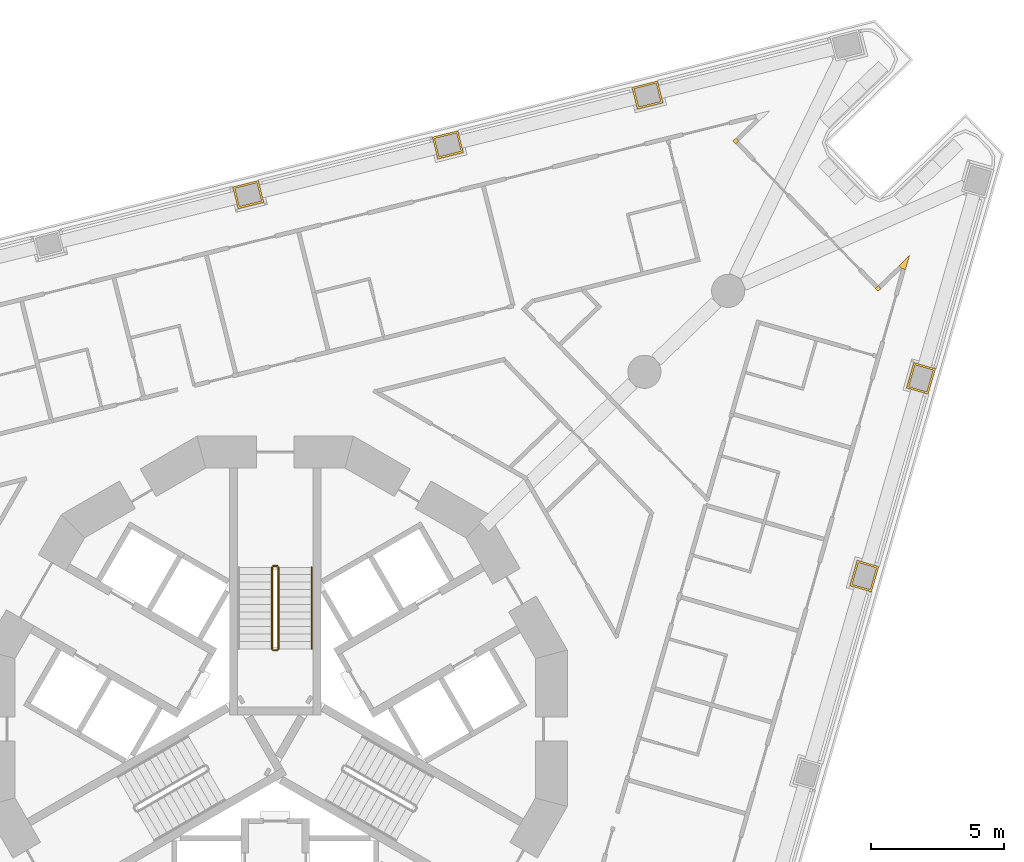
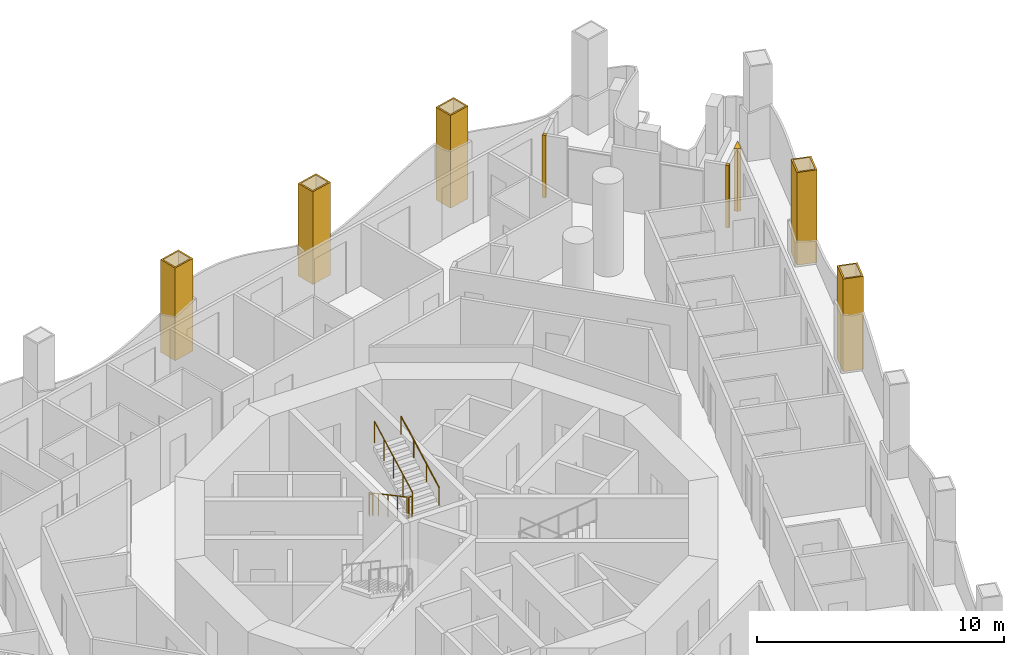
# One storey, part 18 of 20: 8 coverings, 5 railings.
"""IFC4 building model written with IfcOpenShell, lengths in metres."""

from ifc_helpers import new_model, si_unit, direction, frame, origin, origin_2d, place, context, subcontext, project, spatial, polyline, circle, outline, extrude, material, layer, layer_set, type_object, element, save


model = new_model("IFC4")

# Units and contexts
model_context = context("Model", 3, precision=1e-05, world=origin(), true_north=direction((0.0, 1.0)))
body_context = subcontext(model_context, "Body", "Model", "MODEL_VIEW")
ifc_project = project(units=[si_unit("LENGTHUNIT", "METRE"), si_unit("AREAUNIT", "SQUARE_METRE"), si_unit("VOLUMEUNIT", "CUBIC_METRE"), si_unit("PLANEANGLEUNIT", "RADIAN"), si_unit("MASSUNIT", "GRAM", prefix="KILO")], contexts=[model_context])

# Site, building, storey
site_placement = place(None, origin())
site = spatial("IfcSite", under=ifc_project, at=site_placement, CompositionType="ELEMENT")
building_placement = place(site_placement, origin())
building = spatial("IfcBuilding", under=site, at=building_placement, Name="Trine Commons Tower", CompositionType="ELEMENT")
storey_placement = place(building_placement, frame((0.0, 0.0, 116.10009765625)))
storey = spatial("IfcBuildingStorey", under=building, at=storey_placement, Name="L29", CompositionType="ELEMENT", Elevation=116.10009765625)

# Coverings
ifc_material_1 = material(Name="Aluminium-framed insulated wall panel", Category="aluminium")
ifc_layer_1 = layer(ifc_material_1, 0.14990234375)
ifc_layer_set_1 = layer_set([ifc_layer_1], Name="Aluminium-framed insulated wall panel")
covering_type_1 = type_object("IfcCoveringType", Name="Glazing corner post, aluminium", PredefinedType="CLADDING", material=ifc_layer_set_1)
covering_1_placement = place(storey_placement, origin())
element("IfcCovering", 1, at=covering_1_placement, inside=storey, type_object=covering_type_1, Name="Glazing corner post 3-06", PredefinedType="CLADDING", context=body_context, shape_type="SweptSolid", body=[
    extrude(outline(polyline([(97.36328125, 84.536376953125), (97.47119140625, 84.640380859375), (97.47119140625, 84.640380859375), (97.366943359375, 84.748291015625), (97.259033203125, 84.644287109375), (97.36328125, 84.536376953125)])), origin(), (0.0, 0.0, 1.0), 3.099853515625),
])
covering_2_placement = place(storey_placement, origin())
element("IfcCovering", 2, at=covering_2_placement, inside=storey, type_object=covering_type_1, Name="Glazing corner post 3-07", PredefinedType="CLADDING", context=body_context, shape_type="SweptSolid", body=[
    extrude(outline(polyline([(102.62890625, 79.083740234375), (102.73291015625, 78.975830078125), (102.8408203125, 79.080078125), (102.73681640625, 79.18798828125), (102.73681640625, 79.18798828125), (102.62890625, 79.083740234375)])), origin(), (0.0, 0.0, 1.0), 3.099853515625),
])
covering_3_placement = place(storey_placement, origin())
element("IfcCovering", 3, at=covering_3_placement, inside=storey, type_object=covering_type_1, Name="Glazing corner post 3-08", PredefinedType="CLADDING", context=body_context, shape_type="SweptSolid", body=[
    extrude(outline(polyline([(103.76611328125, 79.79296875), (103.92041015625, 80.3310546875), (103.517578125, 79.942138671875), (103.621826171875, 79.834228515625), (103.76611328125, 79.79296875)])), origin(), (0.0, 0.0, 1.0), 3.099853515625),
])
ifc_material_2 = material(Name="Limestone, honed", Category="masonry")
ifc_layer_2 = layer(ifc_material_2, 0.074951171875)
ifc_layer_set_2 = layer_set([ifc_layer_2], Name="Limestone, honed")
covering_type_2 = type_object("IfcCoveringType", Name="Limestone column cladding 75", PredefinedType="CLADDING", material=ifc_layer_set_2)
covering_4_placement = place(storey_placement, origin())
element("IfcCovering", 4, at=covering_4_placement, inside=storey, type_object=covering_type_2, Name="Limestone pier cladding 3-13", PredefinedType="CLADDING", context=body_context, shape_type="SweptSolid", body=[
    extrude(outline(polyline([(79.569091796875, 82.32861328125), (79.36328125, 83.1533203125), (78.39306640625, 82.91162109375), (78.598876953125, 82.0869140625), (79.569091796875, 82.32861328125)]), holes=[polyline([(79.47802734375, 82.38330078125), (79.308837890625, 83.0625), (78.484130859375, 82.85693359375), (78.6533203125, 82.177734375), (79.47802734375, 82.38330078125)])]), origin(), (0.0, 0.0, 1.0), 4.58740234375),
])
covering_5_placement = place(storey_placement, origin())
element("IfcCovering", 5, at=covering_5_placement, inside=storey, type_object=covering_type_2, Name="Limestone pier cladding 3-14", PredefinedType="CLADDING", context=body_context, shape_type="SweptSolid", body=[
    extrude(outline(polyline([(87.09619140625, 84.205322265625), (86.890625, 85.030029296875), (85.92041015625, 84.7880859375), (86.1259765625, 83.96337890625), (87.09619140625, 84.205322265625)]), holes=[polyline([(87.00537109375, 84.260009765625), (86.8359375, 84.939208984375), (86.01123046875, 84.733642578125), (86.1806640625, 84.054443359375), (87.00537109375, 84.260009765625)])]), origin(), (0.0, 0.0, 1.0), 4.58740234375),
])
covering_6_placement = place(storey_placement, origin())
element("IfcCovering", 6, at=covering_6_placement, inside=storey, type_object=covering_type_2, Name="Limestone pier cladding 3-15", PredefinedType="CLADDING", context=body_context, shape_type="SweptSolid", body=[
    extrude(outline(polyline([(94.62353515625, 86.082275390625), (94.417724609375, 86.906982421875), (93.447509765625, 86.6650390625), (93.6533203125, 85.84033203125), (94.62353515625, 86.082275390625)]), holes=[polyline([(94.532470703125, 86.13671875), (94.36328125, 86.81591796875), (93.53857421875, 86.6103515625), (93.707763671875, 85.93115234375), (94.532470703125, 86.13671875)])]), origin(), (0.0, 0.0, 1.0), 4.58740234375),
])
covering_7_placement = place(storey_placement, origin())
element("IfcCovering", 7, at=covering_7_placement, inside=storey, type_object=covering_type_2, Name="Limestone pier cladding 3-18", PredefinedType="CLADDING", context=body_context, shape_type="SweptSolid", body=[
    extrude(outline(polyline([(104.895263671875, 76.057373046875), (104.078125, 76.29150390625), (103.802490234375, 75.330322265625), (104.61962890625, 75.095947265625), (104.895263671875, 76.057373046875)]), holes=[polyline([(104.802490234375, 76.005859375), (104.129638671875, 76.19873046875), (103.895263671875, 75.381591796875), (104.568115234375, 75.188720703125), (104.802490234375, 76.005859375)])]), origin(), (0.0, 0.0, 1.0), 4.58740234375),
])
covering_8_placement = place(storey_placement, origin())
element("IfcCovering", 8, at=covering_8_placement, inside=storey, type_object=covering_type_2, Name="Limestone pier cladding 3-19", PredefinedType="CLADDING", context=body_context, shape_type="SweptSolid", body=[
    extrude(outline(polyline([(102.757080078125, 68.60009765625), (101.93994140625, 68.83447265625), (101.664306640625, 67.873291015625), (102.481201171875, 67.638916015625), (102.757080078125, 68.60009765625)]), holes=[polyline([(102.664306640625, 68.548828125), (101.9912109375, 68.74169921875), (101.757080078125, 67.924560546875), (102.429931640625, 67.731689453125), (102.664306640625, 68.548828125)])]), origin(), (0.0, 0.0, 1.0), 4.58740234375),
])

# Railings
ifc_material_3 = material(Name="Stainless steel balustrade", Category="steel")
railing_type_1 = type_object("IfcRailingType", Name="Stair guard, steel balustrade 1100", PredefinedType="GUARDRAIL", material=ifc_material_3)
railing_1_placement = place(storey_placement, frame((79.875, 68.570556640625, 0.14990234375)))
element("IfcRailing", 9, at=railing_1_placement, inside=storey, type_object=railing_type_1, Name="L29 ST1A stair guard 1", PredefinedType="GUARDRAIL", context=body_context, shape_type="SweptSolid", body=[
    extrude(circle(Radius=0.02392578125, at=origin_2d()), frame((0.0, 0.0, 1.076171875), z_axis=(0.0, -0.881496589024, 0.472190389079), x_axis=(1.0, 0.0, 0.0)), (0.0, 0.0, 1.0), 3.494140625),
    extrude(circle(Radius=0.02099609375, at=origin_2d()), origin(), (0.0, 0.0, 1.0), 1.052001953125),
    extrude(circle(Radius=0.02099609375, at=origin_2d()), frame((0.0, -0.77001953125, 0.41259765625)), (0.0, 0.0, 1.0), 1.052001953125),
    extrude(circle(Radius=0.02099609375, at=origin_2d()), frame((0.0, -1.5400390625, 0.824951171875)), (0.0, 0.0, 1.0), 1.052001953125),
    extrude(circle(Radius=0.02099609375, at=origin_2d()), frame((0.0, -2.31005859375, 1.2373046875)), (0.0, 0.0, 1.0), 1.052001953125),
    extrude(circle(Radius=0.02099609375, at=origin_2d()), frame((0.0, -3.080078125, 1.64990234375)), (0.0, 0.0, 1.0), 1.052001953125),
])
railing_2_placement = place(storey_placement, frame((79.925048828125, 65.440673828125, 1.7998046875)))
element("IfcRailing", 10, at=railing_2_placement, inside=storey, type_object=railing_type_1, Name="L29 ST1A stair guard 2", PredefinedType="GUARDRAIL", context=body_context, shape_type="SweptSolid", body=[
    extrude(circle(Radius=0.02392578125, at=origin_2d()), frame((0.0, 0.0, 1.076171875), z_axis=(1.0, 0.0, 0.0), x_axis=(0.0, 1.0, 0.0)), (0.0, 0.0, 1.0), 0.14990234375),
    extrude(circle(Radius=0.02099609375, at=origin_2d()), origin(), (0.0, 0.0, 1.0), 1.052001953125),
    extrude(circle(Radius=0.02099609375, at=origin_2d()), frame((0.14990234375, 0.0, 0.0)), (0.0, 0.0, 1.0), 1.052001953125),
])
railing_3_placement = place(storey_placement, frame((80.125, 65.490478515625, 1.949951171875)))
element("IfcRailing", 11, at=railing_3_placement, inside=storey, type_object=railing_type_1, Name="L29 ST1A stair guard 3", PredefinedType="GUARDRAIL", context=body_context, shape_type="SweptSolid", body=[
    extrude(circle(Radius=0.02392578125, at=origin_2d()), frame((0.0, 0.0, 1.076171875), z_axis=(0.0, 0.881496589024, 0.472190389079), x_axis=(-1.0, 0.0, 0.0)), (0.0, 0.0, 1.0), 3.494140625),
    extrude(circle(Radius=0.02099609375, at=origin_2d()), origin(), (0.0, 0.0, 1.0), 1.052001953125),
    extrude(circle(Radius=0.02099609375, at=origin_2d()), frame((0.0, 0.77001953125, 0.41259765625)), (0.0, 0.0, 1.0), 1.052001953125),
    extrude(circle(Radius=0.02099609375, at=origin_2d()), frame((0.0, 1.5400390625, 0.824951171875)), (0.0, 0.0, 1.0), 1.052001953125),
    extrude(circle(Radius=0.02099609375, at=origin_2d()), frame((0.0, 2.31005859375, 1.2373046875)), (0.0, 0.0, 1.0), 1.052001953125),
    extrude(circle(Radius=0.02099609375, at=origin_2d()), frame((0.0, 3.080078125, 1.64990234375)), (0.0, 0.0, 1.0), 1.052001953125),
])
railing_4_placement = place(storey_placement, frame((79.925048828125, 68.62060546875, 0.0)))
element("IfcRailing", 12, at=railing_4_placement, inside=storey, type_object=railing_type_1, Name="L29 ST1A stair guard 4", PredefinedType="GUARDRAIL", context=body_context, shape_type="SweptSolid", body=[
    extrude(circle(Radius=0.02392578125, at=origin_2d()), frame((0.0, 0.0, 1.076171875), z_axis=(1.0, 0.0, 0.0), x_axis=(0.0, 1.0, 0.0)), (0.0, 0.0, 1.0), 0.14990234375),
    extrude(circle(Radius=0.02099609375, at=origin_2d()), origin(), (0.0, 0.0, 1.0), 1.052001953125),
    extrude(circle(Radius=0.02099609375, at=origin_2d()), frame((0.14990234375, 0.0, 0.0)), (0.0, 0.0, 1.0), 1.052001953125),
])
ifc_material_4 = material(Name="Stainless steel handrail", Category="steel")
railing_type_2 = type_object("IfcRailingType", Name="Stair handrail, steel 900", PredefinedType="HANDRAIL", material=ifc_material_4)
railing_5_placement = place(storey_placement, frame((81.375, 65.490478515625, 1.949951171875)))
element("IfcRailing", 13, at=railing_5_placement, inside=storey, type_object=railing_type_2, Name="L29 ST1A stair handrail 2", PredefinedType="HANDRAIL", context=body_context, shape_type="SweptSolid", body=[
    extrude(circle(Radius=0.02099609375, at=origin_2d()), frame((0.0, 0.0, 0.87890625), z_axis=(0.0, 0.881496589024, 0.472190389079), x_axis=(-1.0, 0.0, 0.0)), (0.0, 0.0, 1.0), 3.494140625),
    extrude(circle(Radius=0.01513671875, at=origin_2d()), origin(), (0.0, 0.0, 1.0), 0.85791015625),
    extrude(circle(Radius=0.01513671875, at=origin_2d()), frame((0.0, 1.026611328125, 0.550048828125)), (0.0, 0.0, 1.0), 0.85791015625),
    extrude(circle(Radius=0.01513671875, at=origin_2d()), frame((0.0, 2.053466796875, 1.099853515625)), (0.0, 0.0, 1.0), 0.85791015625),
    extrude(circle(Radius=0.01513671875, at=origin_2d()), frame((0.0, 3.080078125, 1.64990234375)), (0.0, 0.0, 1.0), 0.85791015625),
])

save(model, "model.ifc")
